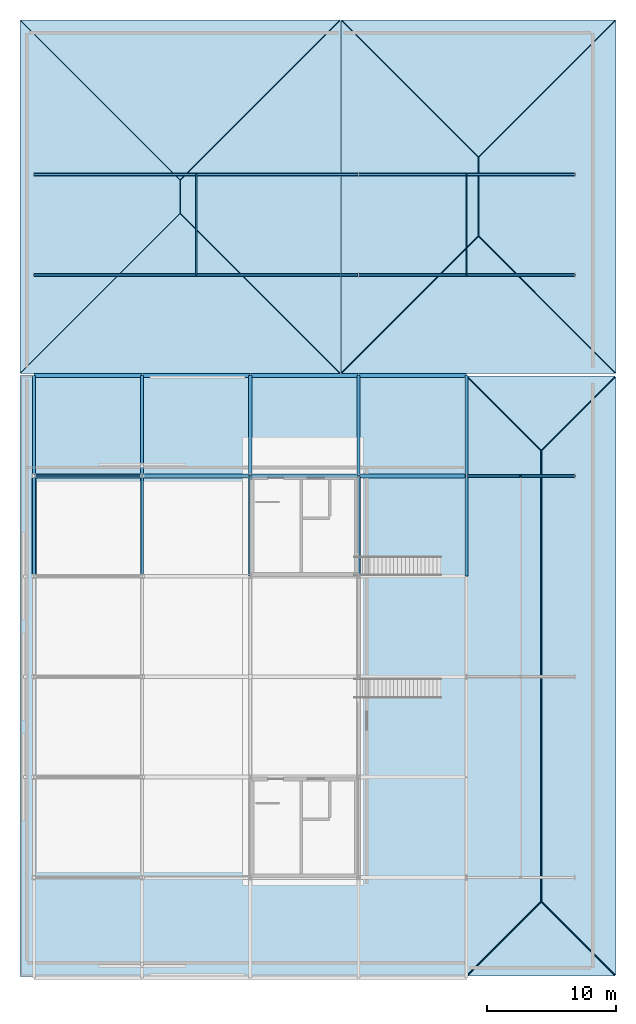
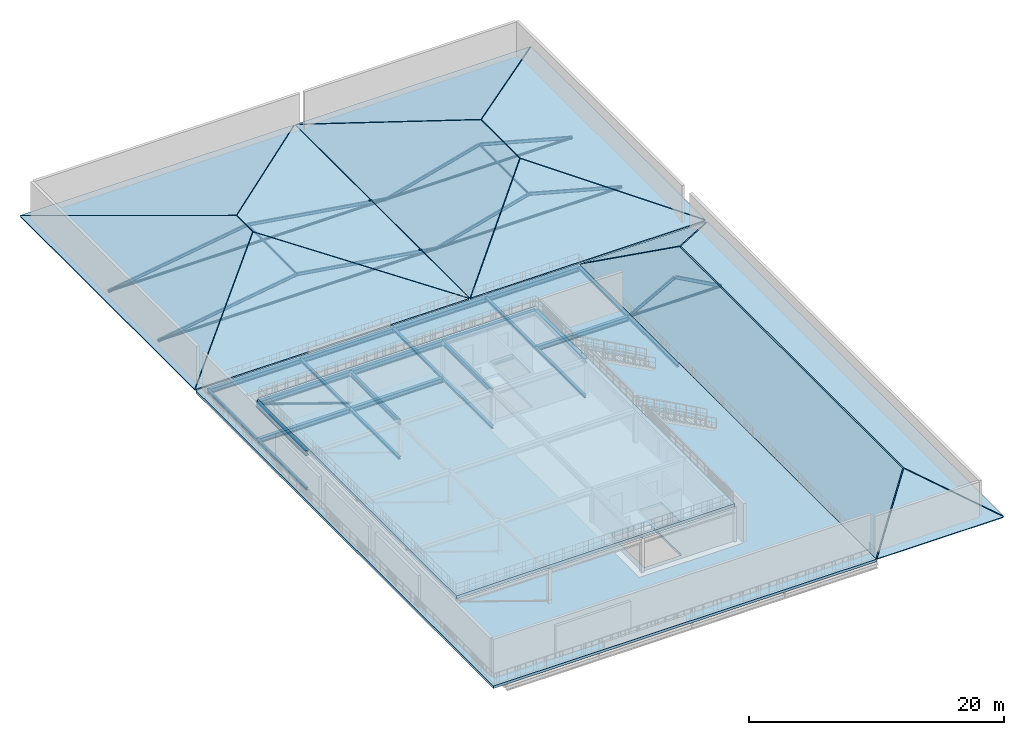
# One storey, part 3 of 16: 25 beams, 18 members, 14 slabs.
"""IFC4 building model written with IfcOpenShell, lengths in metres."""

from ifc_helpers import new_model, si_unit, direction, frame, origin, origin_2d, place, context, subcontext, project, spatial, polyline, hollow_circle, i_section, outline, extrude, material, layer, layer_set, material_profile, profile_set, type_object, element, save


model = new_model("IFC4")

# Units and contexts
model_context = context("Model", 3, precision=1e-05, world=origin(), true_north=direction((0.0, 1.0)))
body_context = subcontext(model_context, "Body", "Model", "MODEL_VIEW")
ifc_project = project(units=[si_unit("LENGTHUNIT", "METRE"), si_unit("AREAUNIT", "SQUARE_METRE"), si_unit("VOLUMEUNIT", "CUBIC_METRE"), si_unit("PLANEANGLEUNIT", "RADIAN"), si_unit("MASSUNIT", "GRAM", prefix="KILO")], contexts=[model_context])

# Site, building, storey
site_placement = place(None, origin())
site = spatial("IfcSite", under=ifc_project, at=site_placement, CompositionType="ELEMENT")
building_placement = place(site_placement, origin())
building = spatial("IfcBuilding", under=site, at=building_placement, Name="Nabrawat Pavilion Hospital", CompositionType="ELEMENT")
storey_placement = place(building_placement, frame((0.0, 0.0, 35.10009765625)))
storey = spatial("IfcBuildingStorey", under=building, at=storey_placement, Name="Roof", CompositionType="ELEMENT", Elevation=35.10009765625)

# Beams
ifc_material_1 = material(Name="Steel S355", Category="steel")
ifc_material_profile_1 = material_profile(ifc_material_1, i_section(OverallWidth=0.300048828125, OverallDepth=0.449951171875, WebThickness=0.013916015625, FlangeThickness=0.02587890625, FilletRadius=0.027099609375, at=origin_2d()), Name="HEB 450")
ifc_profile_set_1 = profile_set([ifc_material_profile_1], Name="Steel S355")
beam_type_1 = type_object("IfcBeamType", Name="Helipad Perimeter Edge Girder HEB 450", PredefinedType="USERDEFINED", material=ifc_profile_set_1)
beam_placement = place(storey_placement, frame((151.219970703125, 78.0, -0.465087890625), z_axis=(1.0, 0.0, 0.0), x_axis=(0.0, 1.0, 0.0)))
element("IfcBeam", 1, at=beam_placement, inside=storey, type_object=beam_type_1, Name="Roof Primary X Girder 2353", ObjectType="GIRDER", PredefinedType="USERDEFINED", context=body_context, shape_type="SweptSolid", body=[
    extrude(i_section(OverallWidth=0.300048828125, OverallDepth=0.449951171875, WebThickness=0.013916015625, FlangeThickness=0.02587890625, FilletRadius=0.027099609375, at=origin_2d()), origin(), (0.0, 0.0, 1.0), 8.360107421875),
])
for number, where, z_axis, x_axis, name in (
    (2, (159.6201171875, 78.0, -0.465087890625), (1.0, 0.0, 0.0), (0.0, 1.0, 0.0), "Roof Primary X Girder 2354"),
    (3, (168.02001953125, 78.0, -0.465087890625), (1.0, 0.0, 0.0), (0.0, 1.0, 0.0), "Roof Primary X Girder 2355"),
):
    element("IfcBeam", number, at=place(storey_placement, frame(where, z_axis=z_axis, x_axis=x_axis)), inside=storey, type_object=beam_type_1, Name=name, ObjectType="GIRDER", PredefinedType="USERDEFINED", context=body_context, shape_type="SweptSolid", body=[
        extrude(i_section(OverallWidth=0.300048828125, OverallDepth=0.449951171875, WebThickness=0.013916015625, FlangeThickness=0.02587890625, FilletRadius=0.027099609375, at=origin_2d()), origin(), (0.0, 0.0, 1.0), 8.35986328125),
    ])
for number, where, z_axis, x_axis, name in (
    (4, (176.419921875, 78.0, -0.465087890625), (1.0, 0.0, 0.0), (0.0, 1.0, 0.0), "Roof Primary X Girder 2356"),
    (5, (151.219970703125, 85.800048828125, -0.465087890625), (1.0, 0.0, 0.0), (0.0, 1.0, 0.0), "Roof Primary X Girder 2357"),
):
    element("IfcBeam", number, at=place(storey_placement, frame(where, z_axis=z_axis, x_axis=x_axis)), inside=storey, type_object=beam_type_1, Name=name, ObjectType="GIRDER", PredefinedType="USERDEFINED", context=body_context, shape_type="SweptSolid", body=[
        extrude(i_section(OverallWidth=0.300048828125, OverallDepth=0.449951171875, WebThickness=0.013916015625, FlangeThickness=0.02587890625, FilletRadius=0.027099609375, at=origin_2d()), origin(), (0.0, 0.0, 1.0), 8.360107421875),
    ])
for number, where, z_axis, x_axis, name in (
    (6, (159.6201171875, 85.800048828125, -0.465087890625), (1.0, 0.0, 0.0), (0.0, 1.0, 0.0), "Roof Primary X Girder 2358"),
    (7, (168.02001953125, 85.800048828125, -0.465087890625), (1.0, 0.0, 0.0), (0.0, 1.0, 0.0), "Roof Primary X Girder 2359"),
):
    element("IfcBeam", number, at=place(storey_placement, frame(where, z_axis=z_axis, x_axis=x_axis)), inside=storey, type_object=beam_type_1, Name=name, ObjectType="GIRDER", PredefinedType="USERDEFINED", context=body_context, shape_type="SweptSolid", body=[
        extrude(i_section(OverallWidth=0.300048828125, OverallDepth=0.449951171875, WebThickness=0.013916015625, FlangeThickness=0.02587890625, FilletRadius=0.027099609375, at=origin_2d()), origin(), (0.0, 0.0, 1.0), 8.35986328125),
    ])
for number, where, z_axis, x_axis, name in (
    (8, (176.419921875, 85.800048828125, -0.465087890625), (1.0, 0.0, 0.0), (0.0, 1.0, 0.0), "Roof Primary X Girder 2360"),
    (9, (151.219970703125, 78.0, 3.074951171875), (1.0, 0.0, 0.0), (0.0, 1.0, 0.0), "Roof Helipad Deck X Girder 2426"),
):
    element("IfcBeam", number, at=place(storey_placement, frame(where, z_axis=z_axis, x_axis=x_axis)), inside=storey, type_object=beam_type_1, Name=name, ObjectType="GIRDER", PredefinedType="USERDEFINED", context=body_context, shape_type="SweptSolid", body=[
        extrude(i_section(OverallWidth=0.300048828125, OverallDepth=0.449951171875, WebThickness=0.013916015625, FlangeThickness=0.02587890625, FilletRadius=0.027099609375, at=origin_2d()), origin(), (0.0, 0.0, 1.0), 8.360107421875),
    ])
for number, where, z_axis, x_axis, name in (
    (10, (159.6201171875, 78.0, 3.074951171875), (1.0, 0.0, 0.0), (0.0, 1.0, 0.0), "Roof Helipad Deck X Girder 2427"),
    (11, (168.02001953125, 78.0, 3.074951171875), (1.0, 0.0, 0.0), (0.0, 1.0, 0.0), "Roof Helipad Deck X Girder 2428"),
):
    element("IfcBeam", number, at=place(storey_placement, frame(where, z_axis=z_axis, x_axis=x_axis)), inside=storey, type_object=beam_type_1, Name=name, ObjectType="GIRDER", PredefinedType="USERDEFINED", context=body_context, shape_type="SweptSolid", body=[
        extrude(i_section(OverallWidth=0.300048828125, OverallDepth=0.449951171875, WebThickness=0.013916015625, FlangeThickness=0.02587890625, FilletRadius=0.027099609375, at=origin_2d()), origin(), (0.0, 0.0, 1.0), 8.35986328125),
    ])
for number, where, z_axis, x_axis, name in (
    (12, (151.199951171875, 70.219970703125, 3.074951171875), (0.0, 1.0, 0.0), (-1.0, 0.0, 0.0), "Roof Helipad Deck Y Girder 2432"),
    (13, (176.39990234375, 70.219970703125, 3.074951171875), (0.0, 1.0, 0.0), (-1.0, 0.0, 0.0), "Roof Helipad Deck Y Girder 2444"),
):
    element("IfcBeam", number, at=place(storey_placement, frame(where, z_axis=z_axis, x_axis=x_axis)), inside=storey, type_object=beam_type_1, Name=name, ObjectType="GIRDER", PredefinedType="USERDEFINED", context=body_context, shape_type="SweptSolid", body=[
        extrude(i_section(OverallWidth=0.300048828125, OverallDepth=0.449951171875, WebThickness=0.013916015625, FlangeThickness=0.02587890625, FilletRadius=0.027099609375, at=origin_2d()), origin(), (0.0, 0.0, 1.0), 7.760009765625),
    ])

# Members
ifc_material_profile_2 = material_profile(ifc_material_1, hollow_circle(Radius=0.084228515625, WallThickness=0.010009765625, at=origin_2d()), Name="CHS 168.3x10")
ifc_profile_set_2 = profile_set([ifc_material_profile_2], Name="Steel S355")
member_type_1 = type_object("IfcMemberType", Name="Helipad Support Brace Strut CHS 168.3x10", PredefinedType="STRUT", material=ifc_profile_set_2)
member_1_placement = place(storey_placement, frame((159.60009765625, 78.0, 0.199951171875), z_axis=(-0.946985429362, 0.0, 0.321276511086), x_axis=(0.0, -1.0, 0.0)))
element("IfcMember", 14, at=member_1_placement, inside=storey, type_object=member_type_1, Name="Helipad Frame Knee Strut 05", PredefinedType="STRUT", context=body_context, shape_type="SweptSolid", body=[
    extrude(hollow_circle(Radius=0.084228515625, WallThickness=0.010009765625, at=origin_2d()), origin(), (0.0, 0.0, 1.0), 8.870361328125),
])
ifc_material_profile_3 = material_profile(ifc_material_1, i_section(OverallWidth=0.10009765625, OverallDepth=0.199951171875, WebThickness=0.005615234375, FlangeThickness=0.008544921875, FilletRadius=0.011962890625, at=origin_2d()), Name="IPE 200")
ifc_profile_set_3 = profile_set([ifc_material_profile_3], Name="Steel S355")
member_type_2 = type_object("IfcMemberType", Name="Pavilion Roof Purlin IPE 200", PredefinedType="PURLIN", material=ifc_profile_set_3)
for number, where, z_axis, x_axis, name in (
    (15, (163.800048828125, 93.60009765625, 1.607666015625), (0.0, 1.0, 0.0), (-1.0, 0.0, 0.0), "Inpatient North-West Pavilion Roof Ridge Purlin"),
    (16, (184.800048828125, 93.60009765625, 1.93310546875), (0.0, 1.0, 0.0), (-1.0, 0.0, 0.0), "Inpatient North-East Pavilion Roof Ridge Purlin"),
):
    element("IfcMember", number, at=place(storey_placement, frame(where, z_axis=z_axis, x_axis=x_axis)), inside=storey, type_object=member_type_2, Name=name, PredefinedType="PURLIN", context=body_context, shape_type="SweptSolid", body=[
        extrude(i_section(OverallWidth=0.10009765625, OverallDepth=0.199951171875, WebThickness=0.005615234375, FlangeThickness=0.008544921875, FilletRadius=0.011962890625, at=origin_2d()), origin(), (0.0, 0.0, 1.0), 7.7998046875),
    ])

# Beams
ifc_material_profile_4 = material_profile(ifc_material_1, i_section(OverallWidth=0.18994140625, OverallDepth=0.449951171875, WebThickness=0.009521484375, FlangeThickness=0.0146484375, FilletRadius=0.02099609375, at=origin_2d()), Name="IPE 450")
ifc_profile_set_4 = profile_set([ifc_material_profile_4], Name="Steel S355")
beam_type_2 = type_object("IfcBeamType", Name="Primary Y Floor Beam IPE 450", PredefinedType="BEAM", material=ifc_profile_set_4)
for number, where, z_axis, x_axis, name in (
    (17, (159.60009765625, 70.219970703125, 3.074951171875), (0.0, 1.0, 0.0), (-1.0, 0.0, 0.0), "Roof Helipad Deck Y Girder 2436"),
    (18, (168.0, 70.219970703125, 3.074951171875), (0.0, 1.0, 0.0), (-1.0, 0.0, 0.0), "Roof Helipad Deck Y Girder 2440"),
):
    element("IfcBeam", number, at=place(storey_placement, frame(where, z_axis=z_axis, x_axis=x_axis)), inside=storey, type_object=beam_type_2, Name=name, PredefinedType="BEAM", context=body_context, shape_type="SweptSolid", body=[
        extrude(i_section(OverallWidth=0.18994140625, OverallDepth=0.449951171875, WebThickness=0.009521484375, FlangeThickness=0.0146484375, FilletRadius=0.02099609375, at=origin_2d()), origin(), (0.0, 0.0, 1.0), 7.760009765625),
    ])
ifc_material_profile_5 = material_profile(ifc_material_1, i_section(OverallWidth=0.239990234375, OverallDepth=0.239990234375, WebThickness=0.010009765625, FlangeThickness=0.01708984375, FilletRadius=0.02099609375, at=origin_2d()), Name="HEB 240")
ifc_profile_set_5 = profile_set([ifc_material_profile_5], Name="Steel S355")
beam_type_3 = type_object("IfcBeamType", Name="Roof Edge Spandrel Beam HEB 240", PredefinedType="SPANDREL", material=ifc_profile_set_5)
for number, where, z_axis, x_axis, name in (
    (19, (151.199951171875, 70.219970703125, -0.360107421875), (0.0, 1.0, 0.0), (-1.0, 0.0, 0.0), "Roof Primary Y Beam 2365"),
    (20, (151.199951171875, 78.02001953125, -0.360107421875), (0.0, 1.0, 0.0), (-1.0, 0.0, 0.0), "Roof Primary Y Beam 2366"),
    (21, (159.60009765625, 70.219970703125, -0.360107421875), (0.0, 1.0, 0.0), (-1.0, 0.0, 0.0), "Roof Primary Y Beam 2371"),
    (22, (159.60009765625, 78.02001953125, -0.360107421875), (0.0, 1.0, 0.0), (-1.0, 0.0, 0.0), "Roof Primary Y Beam 2372"),
    (23, (168.0, 70.219970703125, -0.360107421875), (0.0, 1.0, 0.0), (-1.0, 0.0, 0.0), "Roof Primary Y Beam 2376"),
    (24, (168.0, 78.02001953125, -0.360107421875), (0.0, 1.0, 0.0), (-1.0, 0.0, 0.0), "Roof Primary Y Beam 2377"),
    (25, (176.39990234375, 70.219970703125, -0.360107421875), (0.0, 1.0, 0.0), (-1.0, 0.0, 0.0), "Roof Primary Y Beam 2382"),
    (26, (176.39990234375, 78.02001953125, -0.360107421875), (0.0, 1.0, 0.0), (-1.0, 0.0, 0.0), "Roof Primary Y Beam 2383"),
    (27, (184.800048828125, 70.219970703125, -0.360107421875), (0.0, 1.0, 0.0), (-1.0, 0.0, 0.0), "Roof Primary Y Beam 2388"),
    (28, (184.800048828125, 78.02001953125, -0.360107421875), (0.0, 1.0, 0.0), (-1.0, 0.0, 0.0), "Roof Primary Y Beam 2389"),
):
    element("IfcBeam", number, at=place(storey_placement, frame(where, z_axis=z_axis, x_axis=x_axis)), inside=storey, type_object=beam_type_3, Name=name, PredefinedType="SPANDREL", context=body_context, shape_type="SweptSolid", body=[
        extrude(i_section(OverallWidth=0.239990234375, OverallDepth=0.239990234375, WebThickness=0.010009765625, FlangeThickness=0.01708984375, FilletRadius=0.02099609375, at=origin_2d()), origin(), (0.0, 0.0, 1.0), 7.760009765625),
    ])

# Members
ifc_material_profile_6 = material_profile(ifc_material_1, hollow_circle(Radius=0.122314453125, WallThickness=0.012451171875, at=origin_2d()), Name="CHS 244.5x12.5")
ifc_profile_set_6 = profile_set([ifc_material_profile_6], Name="Steel S355")
member_type_3 = type_object("IfcMemberType", Name="Space Frame Transverse Chord CHS 244.5x12.5", PredefinedType="CHORD", material=ifc_profile_set_6)
for number, where, z_axis, x_axis, name in (
    (29, (151.199951171875, 93.60009765625, -0.35009765625), (1.0, 0.0, 0.0), (0.0, 1.0, 0.0), "Inpatient North-West Pavilion Truss Bottom Tie Chord 01"),
    (30, (151.199951171875, 101.39990234375, -0.35009765625), (1.0, 0.0, 0.0), (0.0, 1.0, 0.0), "Inpatient North-West Pavilion Truss Bottom Tie Chord 02"),
):
    element("IfcMember", number, at=place(storey_placement, frame(where, z_axis=z_axis, x_axis=x_axis)), inside=storey, type_object=member_type_3, Name=name, PredefinedType="CHORD", context=body_context, shape_type="SweptSolid", body=[
        extrude(hollow_circle(Radius=0.122314453125, WallThickness=0.012451171875, at=origin_2d()), origin(), (0.0, 0.0, 1.0), 25.199951171875),
    ])
for number, where, z_axis, x_axis, name in (
    (31, (176.39990234375, 93.60009765625, -0.35009765625), (1.0, 0.0, 0.0), (0.0, 1.0, 0.0), "Inpatient North-East Pavilion Truss Bottom Tie Chord 01"),
    (32, (176.39990234375, 101.39990234375, -0.35009765625), (1.0, 0.0, 0.0), (0.0, 1.0, 0.0), "Inpatient North-East Pavilion Truss Bottom Tie Chord 02"),
):
    element("IfcMember", number, at=place(storey_placement, frame(where, z_axis=z_axis, x_axis=x_axis)), inside=storey, type_object=member_type_3, Name=name, PredefinedType="CHORD", context=body_context, shape_type="SweptSolid", body=[
        extrude(hollow_circle(Radius=0.122314453125, WallThickness=0.012451171875, at=origin_2d()), origin(), (0.0, 0.0, 1.0), 16.800048828125),
    ])
member_2_placement = place(storey_placement, frame((184.800048828125, 78.0, -0.35009765625), z_axis=(1.0, 0.0, 0.0), x_axis=(0.0, 1.0, 0.0)))
element("IfcMember", 33, at=member_2_placement, inside=storey, type_object=member_type_3, Name="Inpatient East Boulevard Pavilion Truss Bottom Tie Chord 03", PredefinedType="CHORD", context=body_context, shape_type="SweptSolid", body=[
    extrude(hollow_circle(Radius=0.122314453125, WallThickness=0.012451171875, at=origin_2d()), origin(), (0.0, 0.0, 1.0), 8.39990234375),
])
ifc_material_profile_7 = material_profile(ifc_material_1, i_section(OverallWidth=0.14990234375, OverallDepth=0.300048828125, WebThickness=0.007080078125, FlangeThickness=0.0107421875, FilletRadius=0.014892578125, at=origin_2d()), Name="IPE 300")
ifc_profile_set_7 = profile_set([ifc_material_profile_7], Name="Steel S355")
member_type_4 = type_object("IfcMemberType", Name="Ward Hipped Roof Rafter IPE 300", PredefinedType="RAFTER", material=ifc_profile_set_7)
member_3_placement = place(storey_placement, frame((151.199951171875, 93.60009765625, -0.35009765625), z_axis=(0.988143271734, 0.0, 0.153534603682), x_axis=(0.0, 1.0, 0.0)))
element("IfcMember", 34, at=member_3_placement, inside=storey, type_object=member_type_4, Name="Inpatient North-West Pavilion West Hipped Rafter 01", PredefinedType="RAFTER", context=body_context, shape_type="SweptSolid", body=[
    extrude(i_section(OverallWidth=0.14990234375, OverallDepth=0.300048828125, WebThickness=0.007080078125, FlangeThickness=0.0107421875, FilletRadius=0.014892578125, at=origin_2d()), origin(), (0.0, 0.0, 1.0), 12.751220703125),
])
member_4_placement = place(storey_placement, frame((176.39990234375, 93.60009765625, -0.35009765625), z_axis=(-0.988142820386, 0.0, 0.15353750851), x_axis=(0.0, -1.0, 0.0)))
element("IfcMember", 35, at=member_4_placement, inside=storey, type_object=member_type_4, Name="Inpatient North-West Pavilion East Hipped Rafter 01", PredefinedType="RAFTER", context=body_context, shape_type="SweptSolid", body=[
    extrude(i_section(OverallWidth=0.14990234375, OverallDepth=0.300048828125, WebThickness=0.007080078125, FlangeThickness=0.0107421875, FilletRadius=0.014892578125, at=origin_2d()), origin(), (0.0, 0.0, 1.0), 12.7509765625),
])
member_5_placement = place(storey_placement, frame((151.199951171875, 101.39990234375, -0.35009765625), z_axis=(0.988143271734, 0.0, 0.153534603682), x_axis=(0.0, 1.0, 0.0)))
element("IfcMember", 36, at=member_5_placement, inside=storey, type_object=member_type_4, Name="Inpatient North-West Pavilion West Hipped Rafter 02", PredefinedType="RAFTER", context=body_context, shape_type="SweptSolid", body=[
    extrude(i_section(OverallWidth=0.14990234375, OverallDepth=0.300048828125, WebThickness=0.007080078125, FlangeThickness=0.0107421875, FilletRadius=0.014892578125, at=origin_2d()), origin(), (0.0, 0.0, 1.0), 12.751220703125),
])
member_6_placement = place(storey_placement, frame((176.39990234375, 101.39990234375, -0.35009765625), z_axis=(-0.988142820386, 0.0, 0.15353750851), x_axis=(0.0, -1.0, 0.0)))
element("IfcMember", 37, at=member_6_placement, inside=storey, type_object=member_type_4, Name="Inpatient North-West Pavilion East Hipped Rafter 02", PredefinedType="RAFTER", context=body_context, shape_type="SweptSolid", body=[
    extrude(i_section(OverallWidth=0.14990234375, OverallDepth=0.300048828125, WebThickness=0.007080078125, FlangeThickness=0.0107421875, FilletRadius=0.014892578125, at=origin_2d()), origin(), (0.0, 0.0, 1.0), 12.7509765625),
])
member_7_placement = place(storey_placement, frame((176.39990234375, 93.60009765625, -0.35009765625), z_axis=(0.964989346385, 0.0, 0.262289079763), x_axis=(0.0, 1.0, 0.0)))
element("IfcMember", 38, at=member_7_placement, inside=storey, type_object=member_type_4, Name="Inpatient North-East Pavilion West Hipped Rafter 01", PredefinedType="RAFTER", context=body_context, shape_type="SweptSolid", body=[
    extrude(i_section(OverallWidth=0.14990234375, OverallDepth=0.300048828125, WebThickness=0.007080078125, FlangeThickness=0.0107421875, FilletRadius=0.014892578125, at=origin_2d()), origin(), (0.0, 0.0, 1.0), 8.704833984375),
])
member_8_placement = place(storey_placement, frame((193.199951171875, 93.60009765625, -0.35009765625), z_axis=(-0.964987416845, 0.0, 0.262296178641), x_axis=(0.0, -1.0, 0.0)))
element("IfcMember", 39, at=member_8_placement, inside=storey, type_object=member_type_4, Name="Inpatient North-East Pavilion East Hipped Rafter 01", PredefinedType="RAFTER", context=body_context, shape_type="SweptSolid", body=[
    extrude(i_section(OverallWidth=0.14990234375, OverallDepth=0.300048828125, WebThickness=0.007080078125, FlangeThickness=0.0107421875, FilletRadius=0.014892578125, at=origin_2d()), origin(), (0.0, 0.0, 1.0), 8.70458984375),
])
member_9_placement = place(storey_placement, frame((176.39990234375, 101.39990234375, -0.35009765625), z_axis=(0.964989346385, 0.0, 0.262289079763), x_axis=(0.0, 1.0, 0.0)))
element("IfcMember", 40, at=member_9_placement, inside=storey, type_object=member_type_4, Name="Inpatient North-East Pavilion West Hipped Rafter 02", PredefinedType="RAFTER", context=body_context, shape_type="SweptSolid", body=[
    extrude(i_section(OverallWidth=0.14990234375, OverallDepth=0.300048828125, WebThickness=0.007080078125, FlangeThickness=0.0107421875, FilletRadius=0.014892578125, at=origin_2d()), origin(), (0.0, 0.0, 1.0), 8.704833984375),
])
member_10_placement = place(storey_placement, frame((193.199951171875, 101.39990234375, -0.35009765625), z_axis=(-0.964987416845, 0.0, 0.262296178641), x_axis=(0.0, -1.0, 0.0)))
element("IfcMember", 41, at=member_10_placement, inside=storey, type_object=member_type_4, Name="Inpatient North-East Pavilion East Hipped Rafter 02", PredefinedType="RAFTER", context=body_context, shape_type="SweptSolid", body=[
    extrude(i_section(OverallWidth=0.14990234375, OverallDepth=0.300048828125, WebThickness=0.007080078125, FlangeThickness=0.0107421875, FilletRadius=0.014892578125, at=origin_2d()), origin(), (0.0, 0.0, 1.0), 8.70458984375),
])
for number, where, z_axis, x_axis, name in (
    (42, (184.800048828125, 78.0, -0.35009765625), (0.876466425327, 0.0, 0.481462984325), (0.0, 1.0, 0.0), "Inpatient East Boulevard Pavilion West Hipped Rafter 03"),
    (43, (193.199951171875, 78.0, -0.35009765625), (-0.876466425327, 0.0, 0.481462984325), (0.0, -1.0, 0.0), "Inpatient East Boulevard Pavilion East Hipped Rafter 03"),
):
    element("IfcMember", number, at=place(storey_placement, frame(where, z_axis=z_axis, x_axis=x_axis)), inside=storey, type_object=member_type_4, Name=name, PredefinedType="RAFTER", context=body_context, shape_type="SweptSolid", body=[
        extrude(i_section(OverallWidth=0.14990234375, OverallDepth=0.300048828125, WebThickness=0.007080078125, FlangeThickness=0.0107421875, FilletRadius=0.014892578125, at=origin_2d()), origin(), (0.0, 0.0, 1.0), 4.7919921875),
    ])

# Slabs
ifc_material_2 = material(Name="Concrete C40/50", Category="concrete")
ifc_layer_1 = layer(ifc_material_2, 0.300048828125, Name="Concrete C40/50")
ifc_layer_set_1 = layer_set([ifc_layer_1], Name="Concrete C40/50")
slab_type_1 = type_object("IfcSlabType", Name="Elevated Helipad Landing Deck Slab 300", PredefinedType="LANDING", material=ifc_layer_set_1)
slab_1_placement = place(storey_placement, frame((0.0, 0.0, 3.2998046875)))
element("IfcSlab", 44, at=slab_1_placement, inside=storey, type_object=slab_type_1, Name="Rooftop Emergency Helipad Deck Slab", PredefinedType="LANDING", context=body_context, shape_type="SweptSolid", body=[
    extrude(outline(polyline([(176.39990234375, 46.800048828125), (176.39990234375, 78.0), (151.199951171875, 78.0), (151.199951171875, 46.800048828125), (176.39990234375, 46.800048828125)])), origin(), (0.0, 0.0, 1.0), 0.300048828125),
])
ifc_material_3 = material(Name="Concrete C35/45", Category="concrete")
ifc_layer_2 = layer(ifc_material_3, 0.239990234375, Name="Concrete C35/45")
ifc_layer_set_2 = layer_set([ifc_layer_2], Name="Concrete C35/45")
slab_type_2 = type_object("IfcSlabType", Name="Rooftop Headhouse Transfer Roof Slab 240", PredefinedType="ROOF", material=ifc_layer_set_2)
slab_2_placement = place(storey_placement, frame((0.0, 0.0, -0.239990234375)))
element("IfcSlab", 45, at=slab_2_placement, inside=storey, type_object=slab_type_2, Name="Roof Core Headhouse Transfer Slab", PredefinedType="ROOF", context=body_context, shape_type="SweptSolid", body=[
    extrude(outline(polyline([(150.1201171875, 39.1201171875), (184.800048828125, 39.1201171875), (184.800048828125, 85.800048828125), (150.1201171875, 85.800048828125), (150.1201171875, 39.1201171875)]), holes=[polyline([(174.10009765625, 54.300048828125), (174.10009765625, 51.39990234375), (172.10009765625, 51.39990234375), (172.10009765625, 54.300048828125), (174.10009765625, 54.300048828125)]), polyline([(174.10009765625, 77.699951171875), (174.10009765625, 74.800048828125), (172.10009765625, 74.800048828125), (172.10009765625, 77.699951171875), (174.10009765625, 77.699951171875)]), polyline([(171.85009765625, 47.25), (168.449951171875, 47.25), (168.449951171875, 52.530029296875), (171.85009765625, 52.530029296875), (171.85009765625, 47.25)]), polyline([(171.85009765625, 70.64990234375), (168.449951171875, 70.64990234375), (168.449951171875, 75.929931640625), (171.85009765625, 75.929931640625), (171.85009765625, 70.64990234375)])]), origin(), (0.0, 0.0, 1.0), 0.239990234375),
])
ifc_layer_3 = layer(ifc_material_3, 0.159912109375, Name="Concrete C35/45")
ifc_layer_set_3 = layer_set([ifc_layer_3], Name="Concrete C35/45")
slab_type_3 = type_object("IfcSlabType", Name="Ward Hipped Roof Deck Slab 160", PredefinedType="ROOF", material=ifc_layer_set_3)
slab_3_placement = place(storey_placement, frame((150.1201171875, 113.3662109375, 0.0), z_axis=(-0.24911765368, 0.0, 0.968473228657), x_axis=(0.0, -1.0, 0.0)))
element("IfcSlab", 46, at=slab_3_placement, inside=storey, type_object=slab_type_3, Name="Inpatient North-West Pavilion West Hipped Roof Facet", PredefinedType="ROOF", context=body_context, shape_type="SweptSolid", body=[
    extrude(outline(polyline([(0.0, 0.0), (27.38232421875, 0.0), (14.97509765625, 12.809859366564393), (12.4072265625, 12.809859366564393), (0.0, 0.0)])), origin(), (0.0, 0.0, -1.0), 0.159912109375),
])
slab_4_placement = place(storey_placement, frame((175.0, 113.3662109375, 0.0), z_axis=(0.24911765368, 0.0, 0.968473228657), x_axis=(-0.695659515877, -0.69572796609, 0.178942547122)))
element("IfcSlab", 47, at=slab_4_placement, inside=storey, type_object=slab_type_3, Name="Inpatient North-West Pavilion East Hipped Roof Facet", PredefinedType="ROOF", context=body_context, shape_type="SweptSolid", body=[
    extrude(outline(polyline([(0.0, 0.0), (17.83344520737267, 1.5543122344752192e-15), (19.619984940608248, 1.8445155829342743), (19.05064873552352, 19.668870388927754), (0.0, 0.0)])), origin(), (0.0, 0.0, -1.0), 0.159912109375),
])
slab_5_placement = place(storey_placement, frame((150.15380859375, 85.949951171875, 0.0), z_axis=(0.0, -0.249113055563, 0.968474411406), x_axis=(1.0, 0.0, 0.0)))
element("IfcSlab", 48, at=slab_5_placement, inside=storey, type_object=slab_type_3, Name="Inpatient North-West Pavilion South Hipped Roof Facet", PredefinedType="ROOF", context=body_context, shape_type="SweptSolid", body=[
    extrude(outline(polyline([(0.0, 0.0), (24.812255859375, 0.0), (12.40625, 12.810095810368114), (0.0, 0.0)])), origin(), (0.0, 0.0, -1.0), 0.159912109375),
])
slab_6_placement = place(storey_placement, frame((174.966064453125, 113.39990234375, 0.0), z_axis=(0.0, 0.24911765368, 0.968473228657), x_axis=(-1.0, 0.0, 0.0)))
element("IfcSlab", 49, at=slab_6_placement, inside=storey, type_object=slab_type_3, Name="Inpatient North-West Pavilion North Hipped Roof Facet", PredefinedType="ROOF", context=body_context, shape_type="SweptSolid", body=[
    extrude(outline(polyline([(0.0, 0.0), (24.812255859375, 0.0), (12.406005859375, 12.80985936656439), (0.0, 0.0)])), origin(), (0.0, 0.0, -1.0), 0.159912109375),
])
slab_7_placement = place(storey_placement, frame((175.050048828125, 113.360107421875, 0.0), z_axis=(-0.287140087251, 0.0, 0.957888600148), x_axis=(0.0, -1.0, 0.0)))
element("IfcSlab", 50, at=slab_7_placement, inside=storey, type_object=slab_type_3, Name="Inpatient North-East Pavilion West Hipped Roof Facet", PredefinedType="ROOF", context=body_context, shape_type="SweptSolid", body=[
    extrude(outline(polyline([(0.0, 0.0), (27.3701171875, 0.0), (16.734130859375, 11.102553850188093), (10.635986328125, 11.102553850188093), (0.0, 0.0)])), origin(), (0.0, 0.0, -1.0), 0.159912109375),
])
slab_8_placement = place(storey_placement, frame((196.39990234375, 113.360107421875, 0.0), z_axis=(0.287140087251, 0.0, 0.957888600148), x_axis=(-0.691707539406, -0.691771055629, 0.20734870755)))
element("IfcSlab", 51, at=slab_8_placement, inside=storey, type_object=slab_type_3, Name="Inpatient North-East Pavilion East Hipped Roof Facet", PredefinedType="ROOF", context=body_context, shape_type="SweptSolid", body=[
    extrude(outline(polyline([(0.0, 0.0), (15.375009176205014, -3.3306690738754696e-16), (19.593529055964495, 4.403573179599536), (18.93385485947936, 19.764423973838767), (0.0, 0.0)])), origin(), (0.0, 0.0, -1.0), 0.159912109375),
])
slab_9_placement = place(storey_placement, frame((175.08984375, 85.949951171875, 0.0), z_axis=(0.0, -0.287134039175, 0.95789041312), x_axis=(1.0, 0.0, 0.0)))
element("IfcSlab", 52, at=slab_9_placement, inside=storey, type_object=slab_type_3, Name="Inpatient North-East Pavilion South Hipped Roof Facet", PredefinedType="ROOF", context=body_context, shape_type="SweptSolid", body=[
    extrude(outline(polyline([(0.0, 0.0), (21.270263671875, 0.0), (10.63525390625, 11.102787709930926), (0.0, 0.0)])), origin(), (0.0, 0.0, -1.0), 0.159912109375),
])
slab_10_placement = place(storey_placement, frame((196.360107421875, 113.39990234375, 0.0), z_axis=(0.0, 0.287140087251, 0.957888600148), x_axis=(-1.0, 0.0, 0.0)))
element("IfcSlab", 53, at=slab_10_placement, inside=storey, type_object=slab_type_3, Name="Inpatient North-East Pavilion North Hipped Roof Facet", PredefinedType="ROOF", context=body_context, shape_type="SweptSolid", body=[
    extrude(outline(polyline([(0.0, 0.0), (21.270263671875, 0.0), (10.635009765625, 11.102553850188093), (0.0, 0.0)])), origin(), (0.0, 0.0, -1.0), 0.159912109375),
])
slab_11_placement = place(storey_placement, frame((184.800048828125, 85.6787109375, 0.0), z_axis=(-0.483071424309, 0.0, 0.875580949437), x_axis=(0.0, -1.0, 0.0)))
element("IfcSlab", 54, at=slab_11_placement, inside=storey, type_object=slab_type_3, Name="Inpatient East Boulevard Pavilion West Hipped Roof Facet", PredefinedType="ROOF", context=body_context, shape_type="SweptSolid", body=[
    extrude(outline(polyline([(0.0, 0.0), (46.45751953125, 0.0), (40.727783203125, 6.542809970124789), (5.729736328125, 6.542809970124789), (0.0, 0.0)])), origin(), (0.0, 0.0, -1.0), 0.159912109375),
])
slab_12_placement = place(storey_placement, frame((196.39990234375, 85.6787109375, 0.0), z_axis=(0.483087207522, 0.0, 0.87557224141), x_axis=(-0.658687501862, -0.65882786316, 0.36342347422)))
element("IfcSlab", 55, at=slab_12_placement, inside=storey, type_object=slab_type_3, Name="Inpatient East Boulevard Pavilion East Hipped Roof Facet", PredefinedType="ROOF", context=body_context, shape_type="SweptSolid", body=[
    extrude(outline(polyline([(0.0, 0.0), (8.696864004261826, -2.220446049250313e-16), (31.754552441707933, 26.328811005937233), (30.607508320509094, 34.94970036218397), (0.0, 0.0)])), origin(), (0.0, 0.0, -1.0), 0.159912109375),
])
slab_13_placement = place(storey_placement, frame((184.871337890625, 39.14990234375, 0.0), z_axis=(0.0, -0.483071424309, 0.875580949437), x_axis=(1.0, 0.0, 0.0)))
element("IfcSlab", 56, at=slab_13_placement, inside=storey, type_object=slab_type_3, Name="Inpatient East Boulevard Pavilion South Hipped Roof Facet", PredefinedType="ROOF", context=body_context, shape_type="SweptSolid", body=[
    extrude(outline(polyline([(0.0, 0.0), (11.457275390625, 0.0), (5.728759765625, 6.542809970124789), (0.0, 0.0)])), origin(), (0.0, 0.0, -1.0), 0.159912109375),
])
slab_14_placement = place(storey_placement, frame((196.32861328125, 85.75, 0.0), z_axis=(0.0, 0.483071424309, 0.875580949437), x_axis=(-1.0, 0.0, 0.0)))
element("IfcSlab", 57, at=slab_14_placement, inside=storey, type_object=slab_type_3, Name="Inpatient East Boulevard Pavilion North Hipped Roof Facet", PredefinedType="ROOF", context=body_context, shape_type="SweptSolid", body=[
    extrude(outline(polyline([(0.0, 0.0), (11.457275390625, 0.0), (5.728515625, 6.542809970124789), (0.0, 0.0)])), origin(), (0.0, 0.0, -1.0), 0.159912109375),
])

save(model, "model.ifc")
